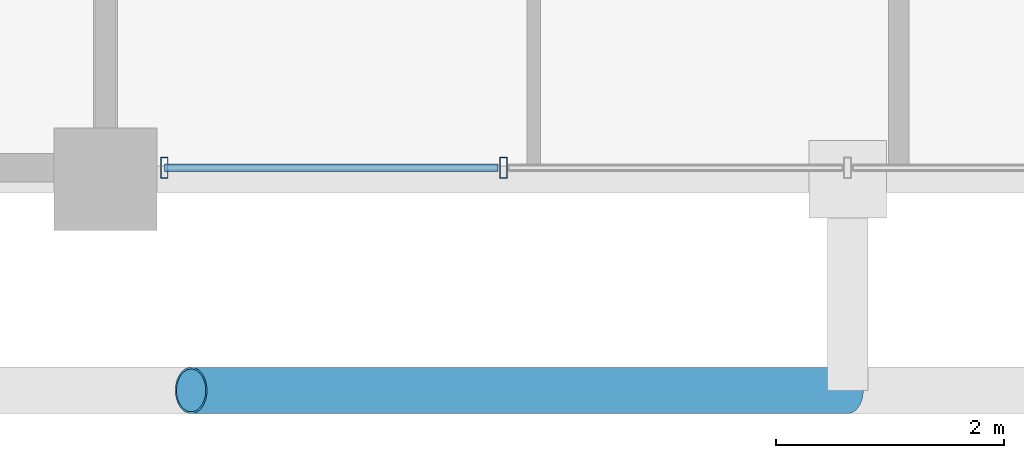
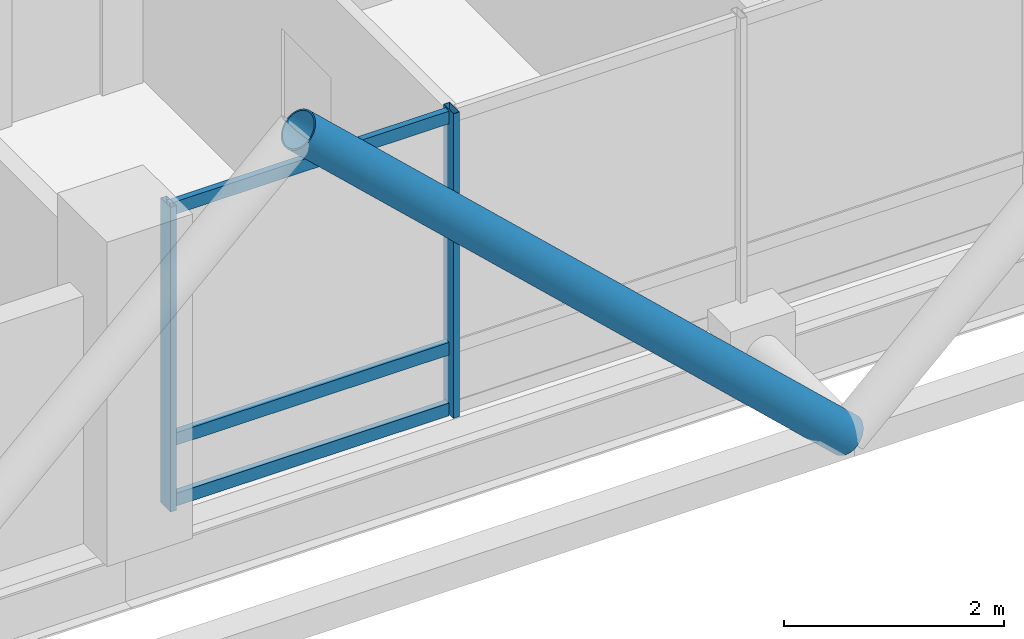
# One storey, part 2 of 25: 6 members, 1 element without a shape of its own.
"""IFC4 building model written with IfcOpenShell, lengths in metres."""

from ifc_helpers import new_model, si_unit, direction, frame, origin, origin_2d, place, context, subcontext, project, spatial, hollow_rectangle, hollow_circle, extrude, material, layer, layer_set, material_profile, profile_set, type_object, element, aggregate, save


model = new_model("IFC4")

# Units and contexts
model_context = context("Model", 3, precision=1e-05, world=origin(), true_north=direction((0.0, 1.0)))
body_context = subcontext(model_context, "Body", "Model", "MODEL_VIEW")
ifc_project = project(units=[si_unit("LENGTHUNIT", "METRE"), si_unit("AREAUNIT", "SQUARE_METRE"), si_unit("VOLUMEUNIT", "CUBIC_METRE"), si_unit("PLANEANGLEUNIT", "RADIAN"), si_unit("MASSUNIT", "GRAM", prefix="KILO")], contexts=[model_context])

# Site, building, storey
site_placement = place(None, origin())
site = spatial("IfcSite", under=ifc_project, at=site_placement, CompositionType="ELEMENT")
building_placement = place(site_placement, origin())
building = spatial("IfcBuilding", under=site, at=building_placement, Name="Barlavira Tower and Art Museum", CompositionType="ELEMENT")
storey_placement = place(building_placement, frame((0.0, 0.0, 229.5)))
storey = spatial("IfcBuildingStorey", under=building, at=storey_placement, Name="L59", CompositionType="ELEMENT", Elevation=229.5)

# Curtain wall, members
ifc_material_1 = material(Name="Low-iron coastal laminated glass", Category="glass")
ifc_layer = layer(ifc_material_1, 0.2099609375, Name="Low-iron coastal laminated glass")
ifc_layer_set = layer_set([ifc_layer], Name="Low-iron coastal laminated glass")
curtain_wall_type = type_object("IfcCurtainWallType", Name="Pale-Metal Unitised Curtain Wall Zone 4", PredefinedType="NOTDEFINED", material=ifc_layer_set)
curtain_wall_placement = place(storey_placement, origin())
curtain_wall = element("IfcCurtainWall", 1, at=curtain_wall_placement, inside=storey, type_object=curtain_wall_type, Name="L59 Curtain Wall CW4-L59-S-B2", PredefinedType="NOTDEFINED")
ifc_material_2 = material(Name="Pale anodised aluminium", Category="aluminium")
ifc_material_profile_1 = material_profile(ifc_material_2, hollow_rectangle(XDim=0.06494140625, YDim=0.179931640625, WallThickness=0.00390625, at=origin_2d()), Name="ALU-MULL 65x180x4")
ifc_profile_set_1 = profile_set([ifc_material_profile_1], Name="Pale anodised aluminium")
member_type_1 = type_object("IfcMemberType", Name="Curtain Wall Pale-Metal Mullion 65x180", PredefinedType="MULLION", material=ifc_profile_set_1)
member_1_placement = place(storey_placement, frame((-5.985107421875, -19.89990234375, 0.0), z_axis=(0.0, 0.0, 1.0), x_axis=(1.0, 0.0, 0.0)))
member_1 = element("IfcMember", 2, at=member_1_placement, type_object=member_type_1, Name="CW4-L59-S-B2 Mullion 0", PredefinedType="MULLION", context=body_context, shape_type="SweptSolid", body=[
    extrude(hollow_rectangle(XDim=0.06494140625, YDim=0.179931640625, WallThickness=0.00390625, at=origin_2d()), origin(), (0.0, 0.0, 1.0), 3.3798828125),
])
member_2_placement = place(storey_placement, frame((-3.014892578125, -19.89990234375, 0.0), z_axis=(0.0, 0.0, 1.0), x_axis=(1.0, 0.0, 0.0)))
member_2 = element("IfcMember", 3, at=member_2_placement, type_object=member_type_1, Name="CW4-L59-S-B2 Mullion 1", PredefinedType="MULLION", context=body_context, shape_type="SweptSolid", body=[
    extrude(hollow_rectangle(XDim=0.06494140625, YDim=0.179931640625, WallThickness=0.00390625, at=origin_2d()), origin(), (0.0, 0.0, 1.0), 3.3798828125),
])
ifc_material_profile_2 = material_profile(ifc_material_2, hollow_rectangle(XDim=0.06494140625, YDim=0.139892578125, WallThickness=0.00390625, at=origin_2d()), Name="ALU-TRAN 65x140x4")
ifc_profile_set_2 = profile_set([ifc_material_profile_2], Name="Pale anodised aluminium")
member_type_2 = type_object("IfcMemberType", Name="Curtain Wall Pale-Metal Transom 65x140", PredefinedType="USERDEFINED", material=ifc_profile_set_2)
member_3_placement = place(storey_placement, frame((-5.985107421875, -19.89990234375, 0.070068359375), z_axis=(1.0, 0.0, 0.0), x_axis=(0.0, 1.0, 0.0)))
member_3 = element("IfcMember", 4, at=member_3_placement, type_object=member_type_2, Name="CW4-L59-S-B2 Transom 0.1", ObjectType="TRANSOM", PredefinedType="USERDEFINED", context=body_context, shape_type="SweptSolid", body=[
    extrude(hollow_rectangle(XDim=0.06494140625, YDim=0.139892578125, WallThickness=0.00390625, at=origin_2d()), origin(), (0.0, 0.0, 1.0), 2.925048828125),
])
member_4_placement = place(storey_placement, frame((-5.985107421875, -19.89990234375, 0.743896484375), z_axis=(1.0, 0.0, 0.0), x_axis=(0.0, 1.0, 0.0)))
member_4 = element("IfcMember", 5, at=member_4_placement, type_object=member_type_2, Name="CW4-L59-S-B2 Transom 0.2", ObjectType="TRANSOM", PredefinedType="USERDEFINED", context=body_context, shape_type="SweptSolid", body=[
    extrude(hollow_rectangle(XDim=0.06494140625, YDim=0.139892578125, WallThickness=0.00390625, at=origin_2d()), origin(), (0.0, 0.0, 1.0), 2.925048828125),
])
member_5_placement = place(storey_placement, frame((-5.985107421875, -19.89990234375, 3.31005859375), z_axis=(1.0, 0.0, 0.0), x_axis=(0.0, 1.0, 0.0)))
member_5 = element("IfcMember", 6, at=member_5_placement, type_object=member_type_2, Name="CW4-L59-S-B2 Transom 0.3", ObjectType="TRANSOM", PredefinedType="USERDEFINED", context=body_context, shape_type="SweptSolid", body=[
    extrude(hollow_rectangle(XDim=0.06494140625, YDim=0.139892578125, WallThickness=0.00390625, at=origin_2d()), origin(), (0.0, 0.0, 1.0), 2.925048828125),
])
aggregate(curtain_wall, [member_1, member_2, member_3, member_4, member_5])

# Member
ifc_material_3 = material(Name="Steel S355", Category="steel")
ifc_material_profile_3 = material_profile(ifc_material_3, hollow_circle(Radius=0.203125, WallThickness=0.01611328125, at=origin_2d()), Name="CHS 406.4x16.0")
ifc_profile_set_3 = profile_set([ifc_material_profile_3], Name="Steel S355")
member_type_3 = type_object("IfcMemberType", Name="Pale-Metal Exoskeleton Diagrid Tube CHS 406x16 Steel S355", PredefinedType="BRACE", material=ifc_profile_set_3)
member_6_placement = place(storey_placement, frame((0.0, -21.85009765625, -0.1201171875), z_axis=(-0.728934650808, 0.0, 0.684583285548), x_axis=(0.0, -1.0, 0.0)))
element("IfcMember", 7, at=member_6_placement, inside=storey, type_object=member_type_3, Name="L59 Exoskeleton Diagrid Tube S", PredefinedType="BRACE", context=body_context, shape_type="SweptSolid", body=[
    extrude(hollow_circle(Radius=0.203125, WallThickness=0.01611328125, at=origin_2d()), origin(), (0.0, 0.0, 1.0), 7.88818359375),
])

save(model, "model.ifc")
